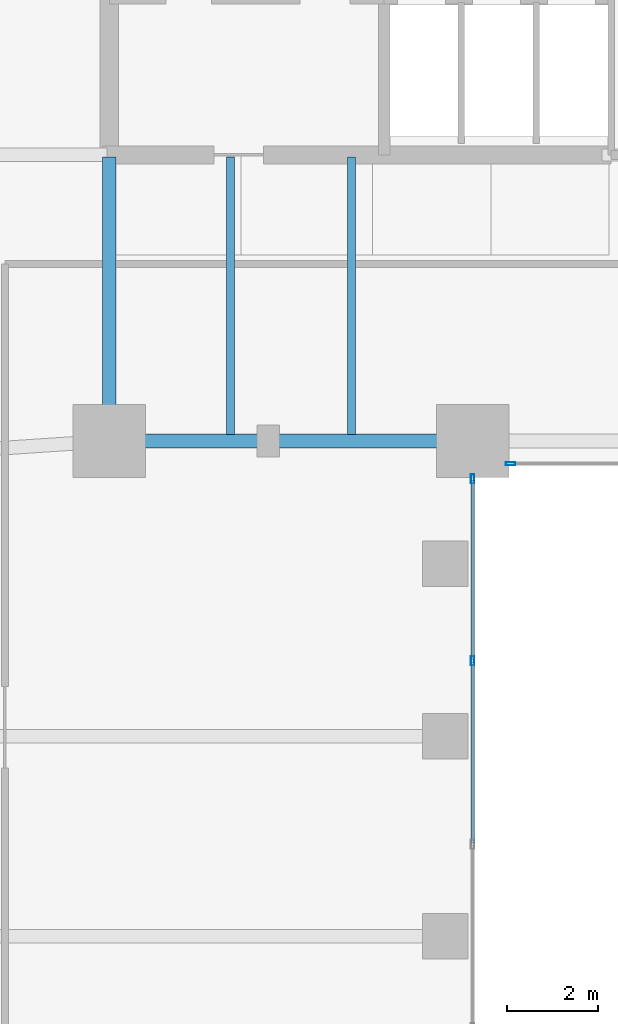
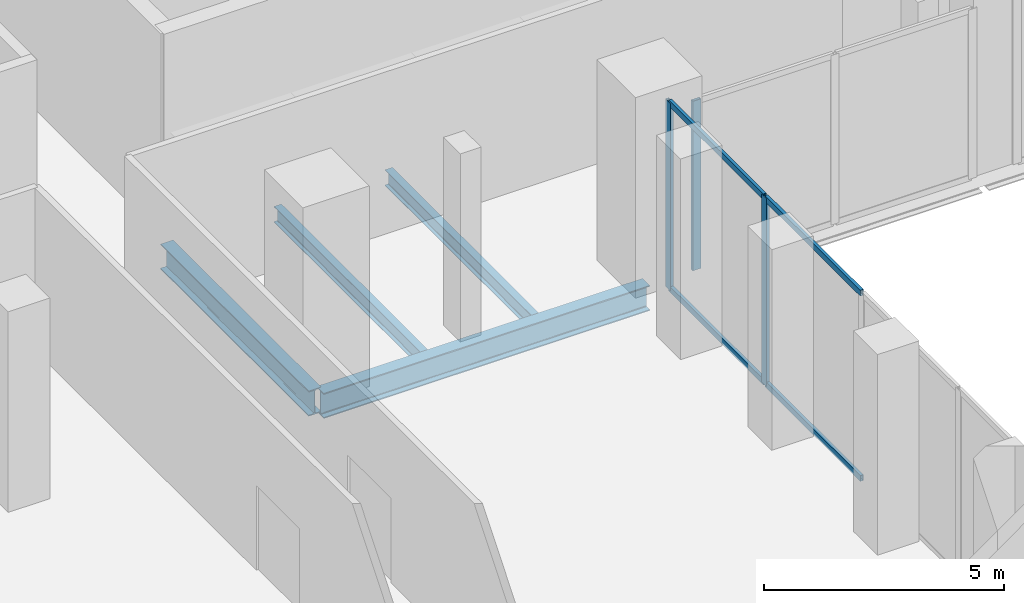
# One storey, part 9 of 24: 7 members, 4 beams, 2 elements without a shape of their own.
"""IFC4 building model written with IfcOpenShell, lengths in metres."""

from ifc_helpers import new_model, si_unit, direction, frame, origin, origin_2d, place, context, subcontext, project, spatial, hollow_rectangle, i_section, extrude, material, layer, layer_set, material_profile, profile_set, type_object, element, aggregate, save


model = new_model("IFC4")

# Units and contexts
model_context = context("Model", 3, precision=1e-05, world=origin(), true_north=direction((0.0, 1.0)))
body_context = subcontext(model_context, "Body", "Model", "MODEL_VIEW")
ifc_project = project(units=[si_unit("LENGTHUNIT", "METRE"), si_unit("AREAUNIT", "SQUARE_METRE"), si_unit("VOLUMEUNIT", "CUBIC_METRE"), si_unit("PLANEANGLEUNIT", "RADIAN"), si_unit("MASSUNIT", "GRAM", prefix="KILO")], contexts=[model_context])

# Site, building, storey
site_placement = place(None, origin())
site = spatial("IfcSite", under=ifc_project, at=site_placement, CompositionType="ELEMENT")
building_placement = place(site_placement, origin())
building = spatial("IfcBuilding", under=site, at=building_placement, Name="Catumbela Crestline Tower", CompositionType="ELEMENT")
storey_placement = place(building_placement, frame((0.0, 0.0, 6.0)))
storey = spatial("IfcBuildingStorey", under=building, at=storey_placement, Name="L01", CompositionType="ELEMENT", Elevation=6.0)

# Beams
ifc_material_1 = material(Name="Structural steel S355J2", Category="steel")
ifc_material_profile_1 = material_profile(ifc_material_1, i_section(OverallWidth=0.3, OverallDepth=0.64, WebThickness=0.0135, FlangeThickness=0.026, FilletRadius=0.027, at=origin_2d()), Name="HEA 650")
ifc_profile_set_1 = profile_set([ifc_material_profile_1], Name="Structural steel S355J2")
beam_type_1 = type_object("IfcBeamType", Name="BG-HEA650", PredefinedType="BEAM", material=ifc_profile_set_1)
beam_1_placement = place(storey_placement, frame((16.08, 24.5, -0.64), z_axis=(1.0, 0.0, 0.0), x_axis=(0.0, 1.0, 0.0)))
element("IfcBeam", 1, at=beam_1_placement, inside=storey, type_object=beam_type_1, Name="L01 Beam BM-L01-S04", PredefinedType="BEAM", context=body_context, shape_type="SweptSolid", body=[
    extrude(i_section(OverallWidth=0.3, OverallDepth=0.64, WebThickness=0.0135, FlangeThickness=0.026, FilletRadius=0.027, at=origin_2d()), origin(), (0.0, 0.0, 1.0), 7.84),
])
beam_2_placement = place(storey_placement, frame((16.0, 24.58, -0.64), z_axis=(0.0, 1.0, 0.0), x_axis=(-1.0, 0.0, 0.0)))
element("IfcBeam", 2, at=beam_2_placement, inside=storey, type_object=beam_type_1, Name="L01 Beam BM-L01-SNS29", PredefinedType="BEAM", context=body_context, shape_type="SweptSolid", body=[
    extrude(i_section(OverallWidth=0.3, OverallDepth=0.64, WebThickness=0.0135, FlangeThickness=0.026, FilletRadius=0.027, at=origin_2d()), origin(), (0.0, 0.0, 1.0), 6.17),
])
ifc_material_profile_2 = material_profile(ifc_material_1, i_section(OverallWidth=0.18, OverallDepth=0.4, WebThickness=0.0086, FlangeThickness=0.0135, FilletRadius=0.021, at=origin_2d()), Name="IPE 400")
ifc_profile_set_2 = profile_set([ifc_material_profile_2], Name="Structural steel S355J2")
beam_type_2 = type_object("IfcBeamType", Name="BJ-IPE400", PredefinedType="JOIST", material=ifc_profile_set_2)
for number, where, z_axis, x_axis, name in (
    (3, (18.667, 24.647, -0.52), (0.0, 1.0, 0.0), (-1.0, 0.0, 0.0), "L01 Joist JS-L01-SP37"),
    (4, (21.333, 24.647, -0.52), (0.0, 1.0, 0.0), (-1.0, 0.0, 0.0), "L01 Joist JS-L01-SP38"),
):
    element("IfcBeam", number, at=place(storey_placement, frame(where, z_axis=z_axis, x_axis=x_axis)), inside=storey, type_object=beam_type_2, Name=name, PredefinedType="JOIST", context=body_context, shape_type="SweptSolid", body=[
        extrude(i_section(OverallWidth=0.18, OverallDepth=0.4, WebThickness=0.0086, FlangeThickness=0.0135, FilletRadius=0.021, at=origin_2d()), origin(), (0.0, 0.0, 1.0), 6.103),
    ])

# Curtain wall, members
ifc_material_2 = material(Name="Aluminium alloy AW-6060-T66", Category="aluminium")
ifc_layer = layer(ifc_material_2, 0.18, Name="Aluminium alloy AW-6060-T66")
ifc_layer_set = layer_set([ifc_layer], Name="Aluminium alloy AW-6060-T66")
curtain_wall_type = type_object("IfcCurtainWallType", Name="CWS-POD", PredefinedType="USERDEFINED", material=ifc_layer_set)
curtain_wall_1_placement = place(storey_placement, origin())
curtain_wall_1 = element("IfcCurtainWall", 5, at=curtain_wall_1_placement, inside=storey, type_object=curtain_wall_type, Name="L01 Stick Curtain Wall CW-L01-E2S1", ObjectType="STICK", PredefinedType="USERDEFINED")
ifc_material_profile_3 = material_profile(ifc_material_2, hollow_rectangle(XDim=0.075, YDim=0.2, WallThickness=0.005, at=origin_2d()), Name="ALU 200x75x5")
ifc_profile_set_3 = profile_set([ifc_material_profile_3], Name="Aluminium alloy AW-6060-T66")
member_type_1 = type_object("IfcMemberType", Name="MUL-200X75", PredefinedType="MULLION", material=ifc_profile_set_3)
member_1_placement = place(storey_placement, frame((24.0, 19.66, 0.0), z_axis=(0.0, 0.0, 1.0), x_axis=(-1.0, 0.0, 0.0)))
member_1 = element("IfcMember", 6, at=member_1_placement, type_object=member_type_1, Name="CWS-POD mullion 5", PredefinedType="MULLION", context=body_context, shape_type="SweptSolid", body=[
    extrude(hollow_rectangle(XDim=0.075, YDim=0.2, WallThickness=0.005, at=origin_2d()), origin(), (0.0, 0.0, 1.0), 4.77),
])
member_2_placement = place(storey_placement, frame((24.0, 23.6675, 0.0), z_axis=(0.0, 0.0, 1.0), x_axis=(-1.0, 0.0, 0.0)))
member_2 = element("IfcMember", 7, at=member_2_placement, type_object=member_type_1, Name="CWS-POD mullion 6", PredefinedType="MULLION", context=body_context, shape_type="SweptSolid", body=[
    extrude(hollow_rectangle(XDim=0.075, YDim=0.2, WallThickness=0.005, at=origin_2d()), origin(), (0.0, 0.0, 1.0), 4.77),
])

# Curtain wall, member
curtain_wall_2_placement = place(storey_placement, origin())
curtain_wall_2 = element("IfcCurtainWall", 8, at=curtain_wall_2_placement, inside=storey, type_object=curtain_wall_type, Name="L01 Stick Curtain Wall CW-L01-E3S1", ObjectType="STICK", PredefinedType="USERDEFINED")
member_3_placement = place(storey_placement, frame((24.8325, 24.0, 0.0), z_axis=(0.0, 0.0, 1.0), x_axis=(0.0, 1.0, 0.0)))
member_3 = element("IfcMember", 9, at=member_3_placement, type_object=member_type_1, Name="CWS-POD mullion 1", PredefinedType="MULLION", context=body_context, shape_type="SweptSolid", body=[
    extrude(hollow_rectangle(XDim=0.075, YDim=0.2, WallThickness=0.005, at=origin_2d()), origin(), (0.0, 0.0, 1.0), 4.31),
])
aggregate(curtain_wall_2, [member_3])

# Member
ifc_material_profile_4 = material_profile(ifc_material_2, hollow_rectangle(XDim=0.075, YDim=0.15, WallThickness=0.0045, at=origin_2d()), Name="ALU 150x75x4.5")
ifc_profile_set_4 = profile_set([ifc_material_profile_4], Name="Aluminium alloy AW-6060-T66")
member_type_2 = type_object("IfcMemberType", Name="TRN-150X75", PredefinedType="USERDEFINED", material=ifc_profile_set_4)
member_4_placement = place(storey_placement, frame((24.0, 15.6525, 0.03), z_axis=(0.0, 1.0, 0.0), x_axis=(-1.0, 0.0, 0.0)))
member_4 = element("IfcMember", 10, at=member_4_placement, type_object=member_type_2, Name="CWS-POD transom 4.1", ObjectType="TRANSOM", PredefinedType="USERDEFINED", context=body_context, shape_type="SweptSolid", body=[
    extrude(hollow_rectangle(XDim=0.075, YDim=0.15, WallThickness=0.0045, at=origin_2d()), origin(), (0.0, 0.0, 1.0), 3.975),
])

member_5_placement = place(storey_placement, frame((24.0, 15.6525, 4.74), z_axis=(0.0, 1.0, 0.0), x_axis=(-1.0, 0.0, 0.0)))
member_5 = element("IfcMember", 11, at=member_5_placement, type_object=member_type_2, Name="CWS-POD transom 4.2", ObjectType="TRANSOM", PredefinedType="USERDEFINED", context=body_context, shape_type="SweptSolid", body=[
    extrude(hollow_rectangle(XDim=0.075, YDim=0.15, WallThickness=0.0045, at=origin_2d()), origin(), (0.0, 0.0, 1.0), 3.975),
])

member_6_placement = place(storey_placement, frame((24.0, 19.6925, 0.03), z_axis=(0.0, 1.0, 0.0), x_axis=(-1.0, 0.0, 0.0)))
member_6 = element("IfcMember", 12, at=member_6_placement, type_object=member_type_2, Name="CWS-POD transom 5.1", ObjectType="TRANSOM", PredefinedType="USERDEFINED", context=body_context, shape_type="SweptSolid", body=[
    extrude(hollow_rectangle(XDim=0.075, YDim=0.15, WallThickness=0.0045, at=origin_2d()), origin(), (0.0, 0.0, 1.0), 3.9425),
])

member_7_placement = place(storey_placement, frame((24.0, 19.6925, 4.74), z_axis=(0.0, 1.0, 0.0), x_axis=(-1.0, 0.0, 0.0)))
member_7 = element("IfcMember", 13, at=member_7_placement, type_object=member_type_2, Name="CWS-POD transom 5.2", ObjectType="TRANSOM", PredefinedType="USERDEFINED", context=body_context, shape_type="SweptSolid", body=[
    extrude(hollow_rectangle(XDim=0.075, YDim=0.15, WallThickness=0.0045, at=origin_2d()), origin(), (0.0, 0.0, 1.0), 3.9425),
])

aggregate(curtain_wall_1, [member_1, member_2, member_4, member_5, member_6, member_7])

save(model, "model.ifc")
